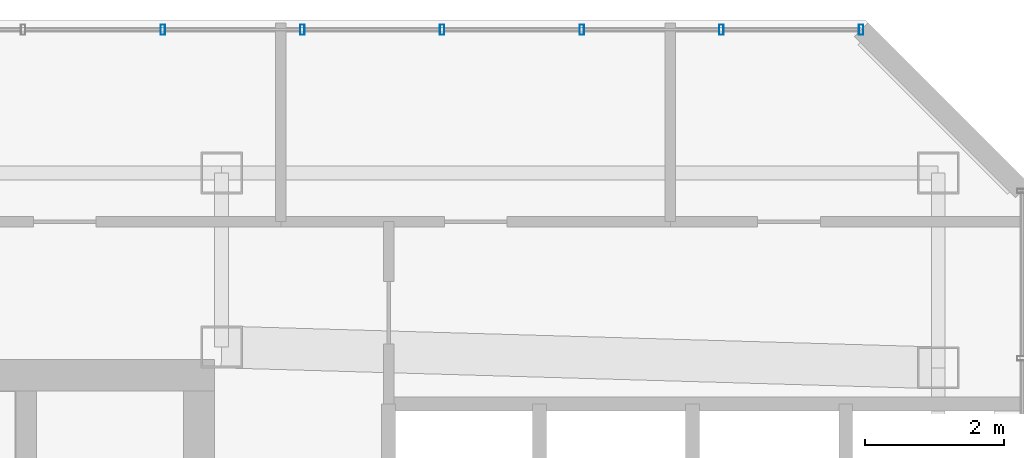
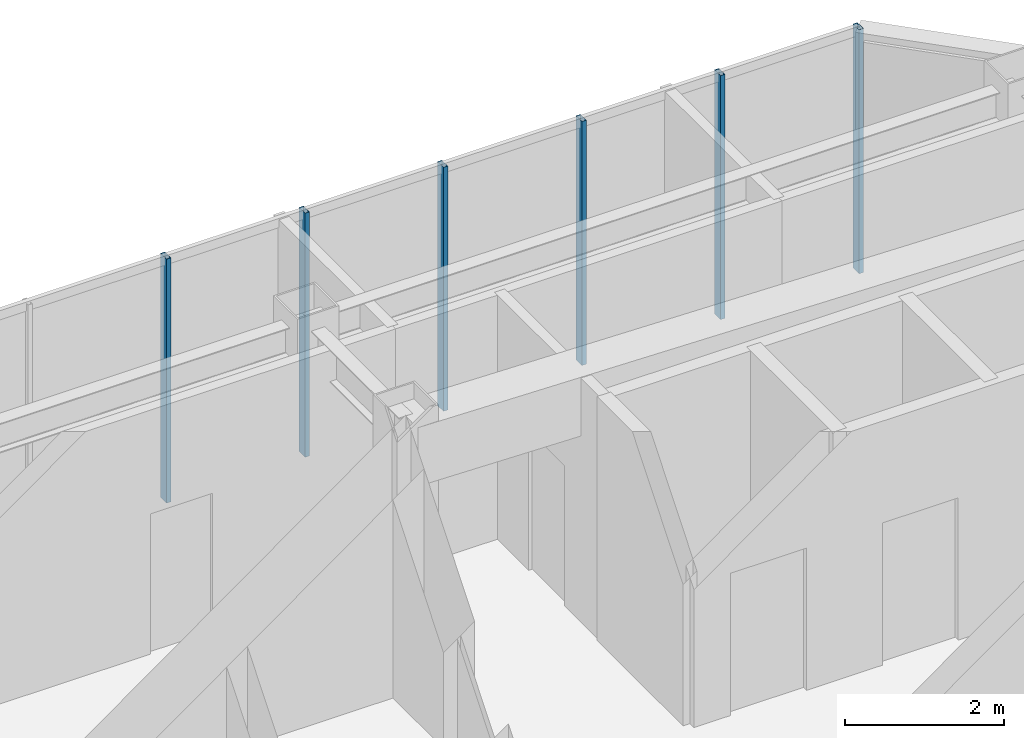
# One storey, part 24 of 31: 6 members, 1 element without a shape of its own.
"""IFC4 building model written with IfcOpenShell, lengths in metres."""

from ifc_helpers import new_model, si_unit, direction, frame, origin, origin_2d, place, context, subcontext, project, spatial, hollow_rectangle, extrude, material, layer, layer_set, material_profile, profile_set, type_object, element, aggregate, save


model = new_model("IFC4")

# Units and contexts
model_context = context("Model", 3, precision=1e-05, world=origin(), true_north=direction((0.0, 1.0)))
body_context = subcontext(model_context, "Body", "Model", "MODEL_VIEW")
ifc_project = project(units=[si_unit("LENGTHUNIT", "METRE"), si_unit("AREAUNIT", "SQUARE_METRE"), si_unit("VOLUMEUNIT", "CUBIC_METRE"), si_unit("PLANEANGLEUNIT", "RADIAN"), si_unit("MASSUNIT", "GRAM", prefix="KILO")], contexts=[model_context])

# Site, building, storey
site_placement = place(None, origin())
site = spatial("IfcSite", under=ifc_project, at=site_placement, CompositionType="ELEMENT")
building_placement = place(site_placement, origin())
building = spatial("IfcBuilding", under=site, at=building_placement, Name="Hatsunagi Terrace Concourse", CompositionType="ELEMENT")
storey_placement = place(building_placement, frame((0.0, 0.0, 269.949951171875)))
storey = spatial("IfcBuildingStorey", under=building, at=storey_placement, Name="L71", CompositionType="ELEMENT", Elevation=269.949951171875)

# Curtain wall, members
ifc_material_1 = material(Name="Anodised Aluminium Alloy 6063-T5", Category="aluminium")
ifc_layer = layer(ifc_material_1, 0.199951171875)
ifc_layer_set = layer_set([ifc_layer], Name="CrownWintergarden_CW06")
curtain_wall_type = type_object("IfcCurtainWallType", Name="CrownWintergarden_CW06", PredefinedType="NOTDEFINED", material=ifc_layer_set)
curtain_wall_placement = place(storey_placement, origin())
curtain_wall = element("IfcCurtainWall", 1, at=curtain_wall_placement, inside=storey, type_object=curtain_wall_type, Name="Unitised Curtain Wall CW-06 CW-L71-10", PredefinedType="NOTDEFINED")
ifc_material_2 = material(Name="Anodised Aluminium Alloy 6063-T5", Category="aluminium")
ifc_material_profile = material_profile(ifc_material_2, hollow_rectangle(XDim=0.06494140625, YDim=0.14990234375, WallThickness=0.00390625, at=origin_2d()), Name="ALU-MUL-150x65x4")
ifc_profile_set = profile_set([ifc_material_profile], Name="Anodised Aluminium Alloy 6063-T5")
member_type = type_object("IfcMemberType", Name="CurtainWallMullion_Crown_150x65", PredefinedType="MULLION", material=ifc_profile_set)
member_1_placement = place(storey_placement, frame((32.50390625, 47.860107421875, 0.0), z_axis=(0.0, 0.0, 1.0), x_axis=(1.0, 0.0, 0.0)))
member_1 = element("IfcMember", 2, at=member_1_placement, type_object=member_type, Name="Curtain Wall Mullion MUL-03", PredefinedType="MULLION", context=body_context, shape_type="SweptSolid", body=[
    extrude(hollow_rectangle(XDim=0.06494140625, YDim=0.14990234375, WallThickness=0.00390625, at=origin_2d()), origin(), (0.0, 0.0, 1.0), 3.739990234375),
])
member_2_placement = place(storey_placement, frame((34.510986328125, 47.860107421875, 0.0), z_axis=(0.0, 0.0, 1.0), x_axis=(1.0, 0.0, 0.0)))
member_2 = element("IfcMember", 3, at=member_2_placement, type_object=member_type, Name="Curtain Wall Mullion MUL-03", PredefinedType="MULLION", context=body_context, shape_type="SweptSolid", body=[
    extrude(hollow_rectangle(XDim=0.06494140625, YDim=0.14990234375, WallThickness=0.00390625, at=origin_2d()), origin(), (0.0, 0.0, 1.0), 3.739990234375),
])
member_3_placement = place(storey_placement, frame((36.51904296875, 47.860107421875, 0.0), z_axis=(0.0, 0.0, 1.0), x_axis=(1.0, 0.0, 0.0)))
member_3 = element("IfcMember", 4, at=member_3_placement, type_object=member_type, Name="Curtain Wall Mullion MUL-03", PredefinedType="MULLION", context=body_context, shape_type="SweptSolid", body=[
    extrude(hollow_rectangle(XDim=0.06494140625, YDim=0.14990234375, WallThickness=0.00390625, at=origin_2d()), origin(), (0.0, 0.0, 1.0), 3.739990234375),
])
member_4_placement = place(storey_placement, frame((38.527099609375, 47.860107421875, 0.0), z_axis=(0.0, 0.0, 1.0), x_axis=(1.0, 0.0, 0.0)))
member_4 = element("IfcMember", 5, at=member_4_placement, type_object=member_type, Name="Curtain Wall Mullion MUL-03", PredefinedType="MULLION", context=body_context, shape_type="SweptSolid", body=[
    extrude(hollow_rectangle(XDim=0.06494140625, YDim=0.14990234375, WallThickness=0.00390625, at=origin_2d()), origin(), (0.0, 0.0, 1.0), 3.739990234375),
])
member_5_placement = place(storey_placement, frame((40.533935546875, 47.860107421875, 0.0), z_axis=(0.0, 0.0, 1.0), x_axis=(1.0, 0.0, 0.0)))
member_5 = element("IfcMember", 6, at=member_5_placement, type_object=member_type, Name="Curtain Wall Mullion MUL-03", PredefinedType="MULLION", context=body_context, shape_type="SweptSolid", body=[
    extrude(hollow_rectangle(XDim=0.06494140625, YDim=0.14990234375, WallThickness=0.00390625, at=origin_2d()), origin(), (0.0, 0.0, 1.0), 3.739990234375),
])
member_6_placement = place(storey_placement, frame((42.5419921875, 47.860107421875, 0.0), z_axis=(0.0, 0.0, 1.0), x_axis=(1.0, 0.0, 0.0)))
member_6 = element("IfcMember", 7, at=member_6_placement, type_object=member_type, Name="Curtain Wall Mullion MUL-03", PredefinedType="MULLION", context=body_context, shape_type="SweptSolid", body=[
    extrude(hollow_rectangle(XDim=0.06494140625, YDim=0.14990234375, WallThickness=0.00390625, at=origin_2d()), origin(), (0.0, 0.0, 1.0), 3.739990234375),
])
aggregate(curtain_wall, [member_1, member_2, member_3, member_4, member_5, member_6])

save(model, "model.ifc")
